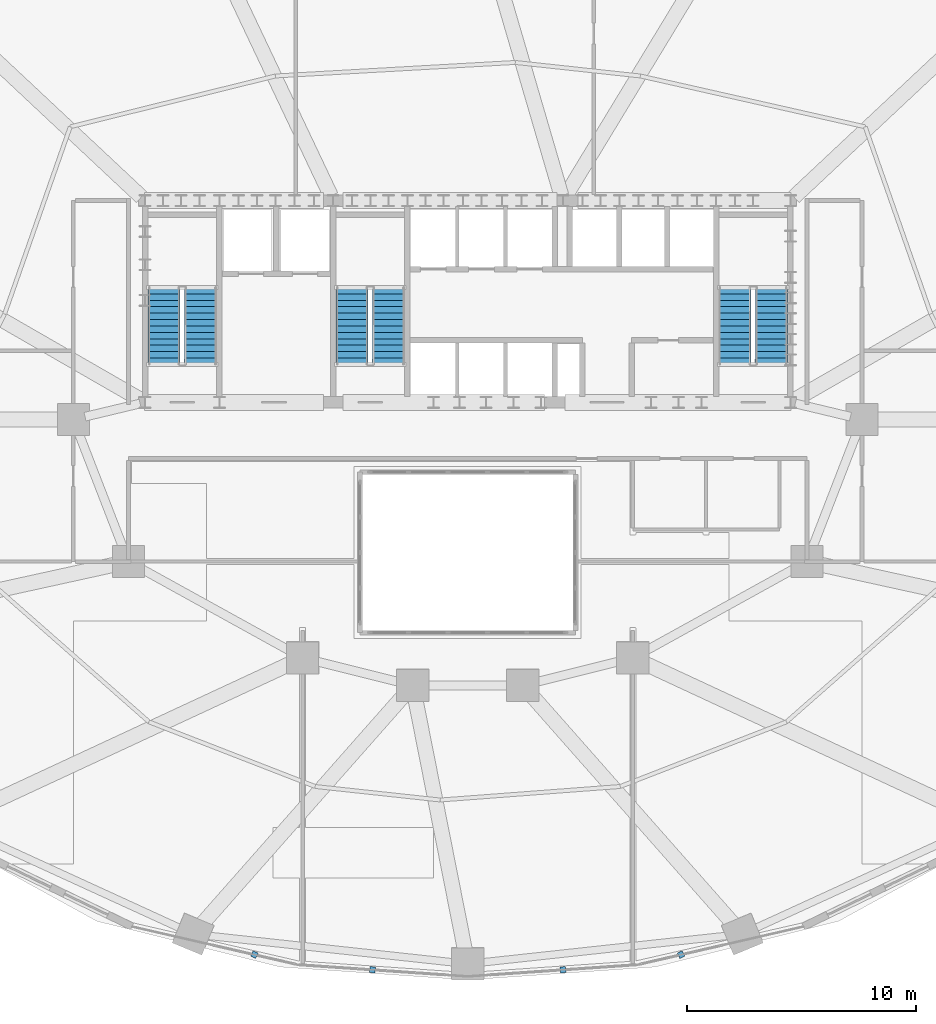
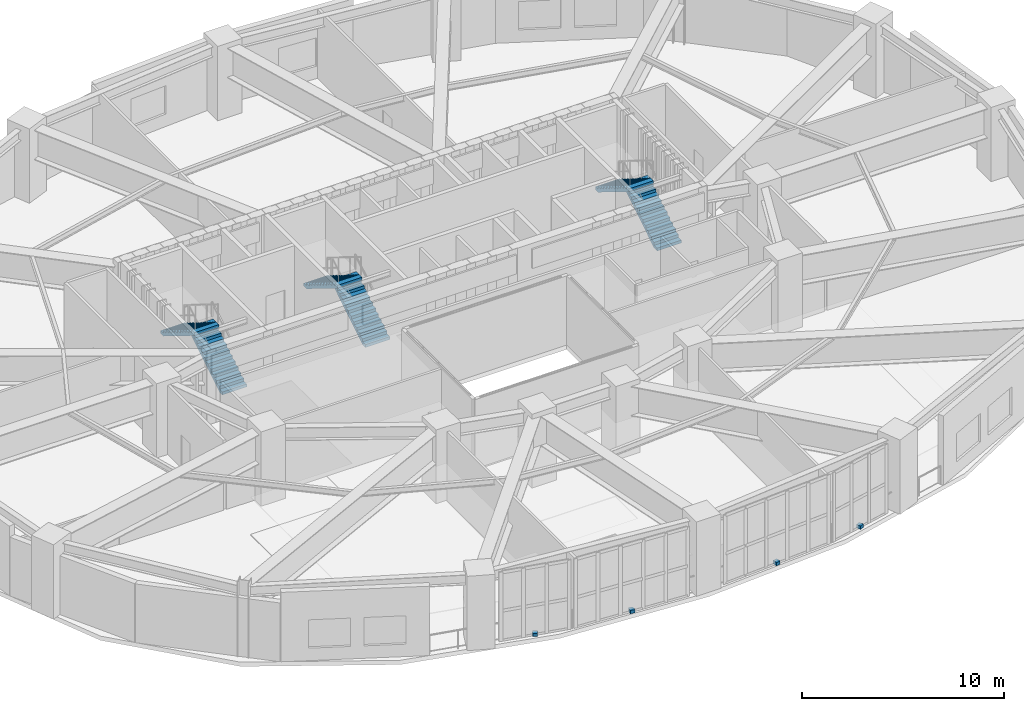
# One storey, part 11 of 13: 6 stair flights, 4 discrete accessories, 3 elements without a shape of their own.
"""IFC4 building model written with IfcOpenShell, lengths in metres."""

from ifc_helpers import new_model, si_unit, direction, frame, origin, origin_2d, place, context, subcontext, project, spatial, polyline, rectangle, outline, extrude, material, type_object, element, aggregate, save


model = new_model("IFC4")

# Units and contexts
model_context = context("Model", 3, precision=1e-05, world=origin(), true_north=direction((0.0, 1.0)))
body_context = subcontext(model_context, "Body", "Model", "MODEL_VIEW")
ifc_project = project(units=[si_unit("LENGTHUNIT", "METRE"), si_unit("AREAUNIT", "SQUARE_METRE"), si_unit("VOLUMEUNIT", "CUBIC_METRE"), si_unit("PLANEANGLEUNIT", "RADIAN"), si_unit("MASSUNIT", "GRAM", prefix="KILO")], contexts=[model_context])

# Site, building, storey
site_placement = place(None, origin())
site = spatial("IfcSite", under=ifc_project, at=site_placement, CompositionType="ELEMENT")
building_placement = place(site_placement, origin())
building = spatial("IfcBuilding", under=site, at=building_placement, Name="Haldorwick Loom Tower", CompositionType="ELEMENT")
storey_placement = place(building_placement, frame((0.0, 0.0, 72.300048828125)))
storey = spatial("IfcBuildingStorey", under=building, at=storey_placement, Name="L19", CompositionType="ELEMENT", Elevation=72.300048828125)

# Stair, stair flights
ifc_material_1 = material(Name="Concrete C40 (40 MPa)", Category="concrete")
stair_type = type_object("IfcStairType", Name="STR-STR-CORE", PredefinedType="HALF_TURN_STAIR", material=ifc_material_1)
stair_1_placement = place(storey_placement, origin())
stair_1 = element("IfcStair", 1, at=stair_1_placement, inside=storey, type_object=stair_type, Name="L19 Exit Stair ST-01", PredefinedType="HALF_TURN_STAIR")
stair_flight_type = type_object("IfcStairFlightType", Name="STR-STF-1250", PredefinedType="STRAIGHT", material=ifc_material_1)
stair_flight_1_placement = place(storey_placement, frame((24.35009765625, 28.39990234375, 0.0), z_axis=(0.0, 0.0, 1.0), x_axis=(0.0, 1.0, 0.0)))
stair_flight_1 = element("IfcStairFlight", 2, at=stair_flight_1_placement, type_object=stair_flight_type, Name="ST-01 flight 1", NumberOfRisers=13, NumberOfTreads=12, PredefinedType="STRAIGHT", RiserHeight=0.173076923, TreadLength=0.28, context=body_context, shape_type="SweptSolid", body=[
    extrude(outline(polyline([(0.0, 0.0), (0.0, 0.173095703125), (0.280029296875, 0.173095703125), (0.280029296875, 0.34619140625), (0.56005859375, 0.34619140625), (0.56005859375, 0.519287109375), (0.840087890625, 0.519287109375), (0.840087890625, 0.6923828125), (1.1201171875, 0.6923828125), (1.1201171875, 0.865478515625), (1.39990234375, 0.865478515625), (1.39990234375, 1.03857421875), (1.679931640625, 1.03857421875), (1.679931640625, 1.21142578125), (1.9599609375, 1.21142578125), (1.9599609375, 1.384521484375), (2.239990234375, 1.384521484375), (2.239990234375, 1.5576171875), (2.52001953125, 1.5576171875), (2.52001953125, 1.730712890625), (2.800048828125, 1.730712890625), (2.800048828125, 1.90380859375), (3.080078125, 1.90380859375), (3.080078125, 2.076904296875), (3.360107421875, 2.076904296875), (3.360107421875, 2.25), (3.360107421875, 1.900634765625), (0.28515625, 0.0), (0.0, 0.0)])), frame((0.0, 0.699951171875, 0.0), z_axis=(0.0, -1.0, 0.0), x_axis=(1.0, 0.0, 0.0)), (0.0, 0.0, 1.0), 1.39990234375),
])
stair_flight_2_placement = place(storey_placement, frame((22.75, 31.760009765625, 2.25), z_axis=(0.0, 0.0, 1.0), x_axis=(0.0, -1.0, 0.0)))
stair_flight_2 = element("IfcStairFlight", 3, at=stair_flight_2_placement, type_object=stair_flight_type, Name="ST-01 flight 2", NumberOfRisers=13, NumberOfTreads=12, PredefinedType="STRAIGHT", RiserHeight=0.173076923, TreadLength=0.28, context=body_context, shape_type="SweptSolid", body=[
    extrude(outline(polyline([(0.0, 0.0), (0.0, 0.173095703125), (0.280029296875, 0.173095703125), (0.280029296875, 0.34619140625), (0.56005859375, 0.34619140625), (0.56005859375, 0.519287109375), (0.840087890625, 0.519287109375), (0.840087890625, 0.6923828125), (1.1201171875, 0.6923828125), (1.1201171875, 0.865478515625), (1.39990234375, 0.865478515625), (1.39990234375, 1.03857421875), (1.679931640625, 1.03857421875), (1.679931640625, 1.21142578125), (1.9599609375, 1.21142578125), (1.9599609375, 1.384521484375), (2.239990234375, 1.384521484375), (2.239990234375, 1.5576171875), (2.52001953125, 1.5576171875), (2.52001953125, 1.730712890625), (2.800048828125, 1.730712890625), (2.800048828125, 1.90380859375), (3.080078125, 1.90380859375), (3.080078125, 2.076904296875), (3.360107421875, 2.076904296875), (3.360107421875, 2.25), (3.360107421875, 1.900634765625), (0.28515625, 0.0), (0.0, 0.0)])), frame((0.0, 0.699951171875, 0.0), z_axis=(0.0, -1.0, 0.0), x_axis=(1.0, 0.0, 0.0)), (0.0, 0.0, 1.0), 1.39990234375),
])
aggregate(stair_1, [stair_flight_1, stair_flight_2])

stair_2_placement = place(storey_placement, origin())
stair_2 = element("IfcStair", 4, at=stair_2_placement, inside=storey, type_object=stair_type, Name="L19 Exit Stair ST-02", PredefinedType="HALF_TURN_STAIR")
stair_flight_3_placement = place(storey_placement, frame((49.25, 28.39990234375, 0.0), z_axis=(0.0, 0.0, 1.0), x_axis=(0.0, 1.0, 0.0)))
stair_flight_3 = element("IfcStairFlight", 5, at=stair_flight_3_placement, type_object=stair_flight_type, Name="ST-02 flight 1", NumberOfRisers=13, NumberOfTreads=12, PredefinedType="STRAIGHT", RiserHeight=0.173076923, TreadLength=0.28, context=body_context, shape_type="SweptSolid", body=[
    extrude(outline(polyline([(0.0, 0.0), (0.0, 0.173095703125), (0.280029296875, 0.173095703125), (0.280029296875, 0.34619140625), (0.56005859375, 0.34619140625), (0.56005859375, 0.519287109375), (0.840087890625, 0.519287109375), (0.840087890625, 0.6923828125), (1.1201171875, 0.6923828125), (1.1201171875, 0.865478515625), (1.39990234375, 0.865478515625), (1.39990234375, 1.03857421875), (1.679931640625, 1.03857421875), (1.679931640625, 1.21142578125), (1.9599609375, 1.21142578125), (1.9599609375, 1.384521484375), (2.239990234375, 1.384521484375), (2.239990234375, 1.5576171875), (2.52001953125, 1.5576171875), (2.52001953125, 1.730712890625), (2.800048828125, 1.730712890625), (2.800048828125, 1.90380859375), (3.080078125, 1.90380859375), (3.080078125, 2.076904296875), (3.360107421875, 2.076904296875), (3.360107421875, 2.25), (3.360107421875, 1.900634765625), (0.28515625, 0.0), (0.0, 0.0)])), frame((0.0, 0.699951171875, 0.0), z_axis=(0.0, -1.0, 0.0), x_axis=(1.0, 0.0, 0.0)), (0.0, 0.0, 1.0), 1.39990234375),
])
stair_flight_4_placement = place(storey_placement, frame((47.64990234375, 31.760009765625, 2.25), z_axis=(0.0, 0.0, 1.0), x_axis=(0.0, -1.0, 0.0)))
stair_flight_4 = element("IfcStairFlight", 6, at=stair_flight_4_placement, type_object=stair_flight_type, Name="ST-02 flight 2", NumberOfRisers=13, NumberOfTreads=12, PredefinedType="STRAIGHT", RiserHeight=0.173076923, TreadLength=0.28, context=body_context, shape_type="SweptSolid", body=[
    extrude(outline(polyline([(0.0, 0.0), (0.0, 0.173095703125), (0.280029296875, 0.173095703125), (0.280029296875, 0.34619140625), (0.56005859375, 0.34619140625), (0.56005859375, 0.519287109375), (0.840087890625, 0.519287109375), (0.840087890625, 0.6923828125), (1.1201171875, 0.6923828125), (1.1201171875, 0.865478515625), (1.39990234375, 0.865478515625), (1.39990234375, 1.03857421875), (1.679931640625, 1.03857421875), (1.679931640625, 1.21142578125), (1.9599609375, 1.21142578125), (1.9599609375, 1.384521484375), (2.239990234375, 1.384521484375), (2.239990234375, 1.5576171875), (2.52001953125, 1.5576171875), (2.52001953125, 1.730712890625), (2.800048828125, 1.730712890625), (2.800048828125, 1.90380859375), (3.080078125, 1.90380859375), (3.080078125, 2.076904296875), (3.360107421875, 2.076904296875), (3.360107421875, 2.25), (3.360107421875, 1.900634765625), (0.28515625, 0.0), (0.0, 0.0)])), frame((0.0, 0.699951171875, 0.0), z_axis=(0.0, -1.0, 0.0), x_axis=(1.0, 0.0, 0.0)), (0.0, 0.0, 1.0), 1.39990234375),
])
aggregate(stair_2, [stair_flight_3, stair_flight_4])

stair_3_placement = place(storey_placement, origin())
stair_3 = element("IfcStair", 7, at=stair_3_placement, inside=storey, type_object=stair_type, Name="L19 Exit Stair ST-03", PredefinedType="HALF_TURN_STAIR")
stair_flight_5_placement = place(storey_placement, frame((32.550048828125, 28.39990234375, 0.0), z_axis=(0.0, 0.0, 1.0), x_axis=(0.0, 1.0, 0.0)))
stair_flight_5 = element("IfcStairFlight", 8, at=stair_flight_5_placement, type_object=stair_flight_type, Name="ST-03 flight 1", NumberOfRisers=13, NumberOfTreads=12, PredefinedType="STRAIGHT", RiserHeight=0.173076923, TreadLength=0.28, context=body_context, shape_type="SweptSolid", body=[
    extrude(outline(polyline([(0.0, 0.0), (0.0, 0.173095703125), (0.280029296875, 0.173095703125), (0.280029296875, 0.34619140625), (0.56005859375, 0.34619140625), (0.56005859375, 0.519287109375), (0.840087890625, 0.519287109375), (0.840087890625, 0.6923828125), (1.1201171875, 0.6923828125), (1.1201171875, 0.865478515625), (1.39990234375, 0.865478515625), (1.39990234375, 1.03857421875), (1.679931640625, 1.03857421875), (1.679931640625, 1.21142578125), (1.9599609375, 1.21142578125), (1.9599609375, 1.384521484375), (2.239990234375, 1.384521484375), (2.239990234375, 1.5576171875), (2.52001953125, 1.5576171875), (2.52001953125, 1.730712890625), (2.800048828125, 1.730712890625), (2.800048828125, 1.90380859375), (3.080078125, 1.90380859375), (3.080078125, 2.076904296875), (3.360107421875, 2.076904296875), (3.360107421875, 2.25), (3.360107421875, 1.900634765625), (0.28515625, 0.0), (0.0, 0.0)])), frame((0.0, 0.699951171875, 0.0), z_axis=(0.0, -1.0, 0.0), x_axis=(1.0, 0.0, 0.0)), (0.0, 0.0, 1.0), 1.39990234375),
])
stair_flight_6_placement = place(storey_placement, frame((30.949951171875, 31.760009765625, 2.25), z_axis=(0.0, 0.0, 1.0), x_axis=(0.0, -1.0, 0.0)))
stair_flight_6 = element("IfcStairFlight", 9, at=stair_flight_6_placement, type_object=stair_flight_type, Name="ST-03 flight 2", NumberOfRisers=13, NumberOfTreads=12, PredefinedType="STRAIGHT", RiserHeight=0.173076923, TreadLength=0.28, context=body_context, shape_type="SweptSolid", body=[
    extrude(outline(polyline([(0.0, 0.0), (0.0, 0.173095703125), (0.280029296875, 0.173095703125), (0.280029296875, 0.34619140625), (0.56005859375, 0.34619140625), (0.56005859375, 0.519287109375), (0.840087890625, 0.519287109375), (0.840087890625, 0.6923828125), (1.1201171875, 0.6923828125), (1.1201171875, 0.865478515625), (1.39990234375, 0.865478515625), (1.39990234375, 1.03857421875), (1.679931640625, 1.03857421875), (1.679931640625, 1.21142578125), (1.9599609375, 1.21142578125), (1.9599609375, 1.384521484375), (2.239990234375, 1.384521484375), (2.239990234375, 1.5576171875), (2.52001953125, 1.5576171875), (2.52001953125, 1.730712890625), (2.800048828125, 1.730712890625), (2.800048828125, 1.90380859375), (3.080078125, 1.90380859375), (3.080078125, 2.076904296875), (3.360107421875, 2.076904296875), (3.360107421875, 2.25), (3.360107421875, 1.900634765625), (0.28515625, 0.0), (0.0, 0.0)])), frame((0.0, 0.699951171875, 0.0), z_axis=(0.0, -1.0, 0.0), x_axis=(1.0, 0.0, 0.0)), (0.0, 0.0, 1.0), 1.39990234375),
])
aggregate(stair_3, [stair_flight_5, stair_flight_6])

# Discrete accessories
ifc_material_2 = material(Name="Galvanized Steel CSA G40.21 350W", Category="steel")
discrete_accessory_type = type_object("IfcDiscreteAccessoryType", Name="ARC-ACC-BRACKET", PredefinedType="BRACKET", material=ifc_material_2)
for number, where, z_axis, x_axis, name in (
    (10, (26.69384765625, 2.655517578125, 0.0), (0.0, 0.0, 1.0), (-0.433659084588, -0.901077021322, 0.0), "L19 Curtain-Wall Mullion Anchor Bracket 17"),
    (11, (31.846923828125, 1.99560546875, 0.0), (0.0, 0.0, 1.0), (-0.152985836284, -0.988228381447, 0.0), "L19 Curtain-Wall Mullion Anchor Bracket 18"),
    (12, (40.153076171875, 1.99560546875, 0.0), (0.0, 0.0, 1.0), (0.152985836284, -0.988228381447, 0.0), "L19 Curtain-Wall Mullion Anchor Bracket 19"),
    (13, (45.30615234375, 2.655517578125, 0.0), (0.0, 0.0, 1.0), (0.433659084588, -0.901077021322, 0.0), "L19 Curtain-Wall Mullion Anchor Bracket 20"),
):
    element("IfcDiscreteAccessory", number, at=place(storey_placement, frame(where, z_axis=z_axis, x_axis=x_axis)), inside=storey, type_object=discrete_accessory_type, Name=name, PredefinedType="BRACKET", context=body_context, shape_type="SweptSolid", body=[
        extrude(rectangle(XDim=0.260009765625, YDim=0.239990234375, at=origin_2d()), origin(), (0.0, 0.0, 1.0), 0.199951171875),
    ])

save(model, "model.ifc")
